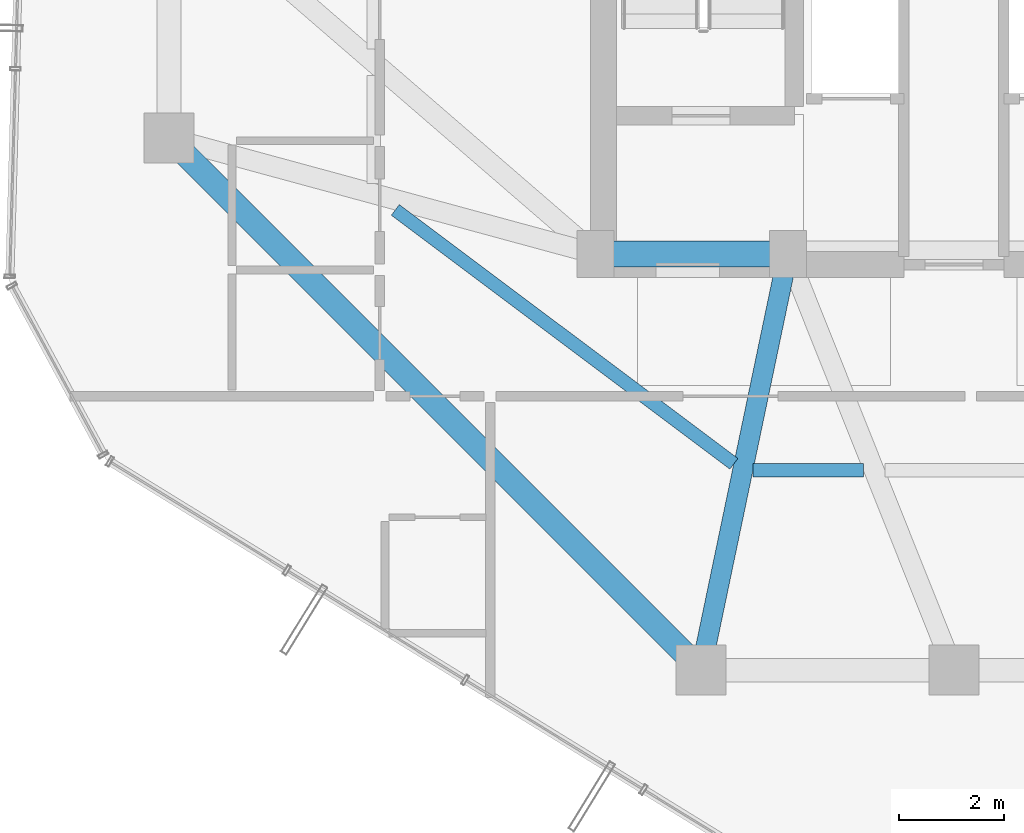
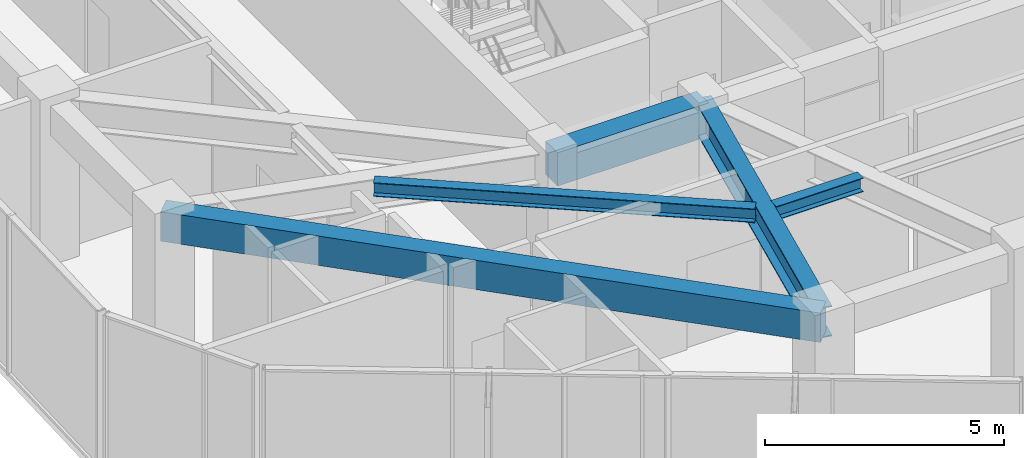
# One storey, part 4 of 22: 5 beams.
"""IFC4 building model written with IfcOpenShell, lengths in metres."""

from ifc_helpers import new_model, si_unit, direction, frame, origin, origin_2d, place, context, subcontext, project, spatial, rectangle, i_section, extrude, material, material_profile, profile_set, type_object, element, save


model = new_model("IFC4")

# Units and contexts
model_context = context("Model", 3, precision=1e-05, world=origin(), true_north=direction((0.0, 1.0)))
body_context = subcontext(model_context, "Body", "Model", "MODEL_VIEW")
ifc_project = project(units=[si_unit("LENGTHUNIT", "METRE"), si_unit("AREAUNIT", "SQUARE_METRE"), si_unit("VOLUMEUNIT", "CUBIC_METRE"), si_unit("PLANEANGLEUNIT", "RADIAN"), si_unit("MASSUNIT", "GRAM", prefix="KILO")], contexts=[model_context])

# Site, building, storey
site_placement = place(None, origin())
site = spatial("IfcSite", under=ifc_project, at=site_placement, CompositionType="ELEMENT")
building_placement = place(site_placement, origin())
building = spatial("IfcBuilding", under=site, at=building_placement, Name="Veraguas Prism Commons", CompositionType="ELEMENT")
storey_placement = place(building_placement, frame((0.0, 0.0, 211.35009765625)))
storey = spatial("IfcBuildingStorey", under=building, at=storey_placement, Name="L60", CompositionType="ELEMENT", Elevation=211.35009765625)

# Beams
ifc_material_1 = material(Name="Steel ASTM A992 Grade 50", Category="steel")
ifc_material_profile_1 = material_profile(ifc_material_1, i_section(OverallWidth=0.382080078125, OverallDepth=0.779052734375, WebThickness=0.01806640625, FlangeThickness=0.030029296875, at=origin_2d()), Name="W760X284")
ifc_profile_set_1 = profile_set([ifc_material_profile_1], Name="Steel ASTM A992 Grade 50")
beam_type_1 = type_object("IfcBeamType", Name="Assembly Primary Girder W760x284", PredefinedType="BEAM", material=ifc_profile_set_1)
beam_1_placement = place(storey_placement, frame((19.199951171875, 9.10009765625, 3.67529296875), z_axis=(0.204468851168, 0.978873070884, 0.0), x_axis=(-0.978873070884, 0.204468851168, 0.0)))
element("IfcBeam", 1, at=beam_1_placement, inside=storey, type_object=beam_type_1, Name="Radial Floor Girder L60-RD10", PredefinedType="BEAM", context=body_context, shape_type="SweptSolid", body=[
    extrude(i_section(OverallWidth=0.382080078125, OverallDepth=0.779052734375, WebThickness=0.01806640625, FlangeThickness=0.030029296875, at=origin_2d()), origin(), (0.0, 0.0, 1.0), 8.0703125),
])
ifc_material_2 = material(Name="Concrete C50/60", Category="concrete")
ifc_material_profile_2 = material_profile(ifc_material_2, rectangle(XDim=0.5, YDim=0.85009765625, at=origin_2d()), Name="RC500X850")
ifc_profile_set_2 = profile_set([ifc_material_profile_2], Name="Concrete C50/60")
beam_type_2 = type_object("IfcBeamType", Name="Core Coupling Beam RC 500x850", PredefinedType="BEAM", material=ifc_profile_set_2)
beam_2_placement = place(storey_placement, frame((17.199951171875, 17.0, 3.639892578125), z_axis=(1.0, 0.0, 0.0), x_axis=(0.0, 1.0, 0.0)))
element("IfcBeam", 2, at=beam_2_placement, inside=storey, type_object=beam_type_2, Name="Core Coupling Beam L60-CRS1", PredefinedType="BEAM", context=body_context, shape_type="SweptSolid", body=[
    extrude(rectangle(XDim=0.5, YDim=0.85009765625, at=origin_2d()), origin(), (0.0, 0.0, 1.0), 3.650146484375),
])
ifc_material_profile_3 = material_profile(ifc_material_2, rectangle(XDim=0.449951171875, YDim=0.75, at=origin_2d()), Name="RC450X750")
ifc_profile_set_3 = profile_set([ifc_material_profile_3], Name="Concrete C50/60")
beam_type_3 = type_object("IfcBeamType", Name="Perimeter Spandrel Upper RC 450x750", PredefinedType="SPANDREL", material=ifc_profile_set_3)
beam_3_placement = place(storey_placement, frame((9.10009765625, 19.199951171875, 3.68994140625), z_axis=(0.707106781187, -0.707106781187, 0.0), x_axis=(0.707106781187, 0.707106781187, 0.0)))
element("IfcBeam", 3, at=beam_3_placement, inside=storey, type_object=beam_type_3, Name="Perimeter Spandrel Beam L60-SP09", PredefinedType="SPANDREL", context=body_context, shape_type="SweptSolid", body=[
    extrude(rectangle(XDim=0.449951171875, YDim=0.75, at=origin_2d()), origin(), (0.0, 0.0, 1.0), 14.283447265625),
])
ifc_material_profile_4 = material_profile(ifc_material_1, i_section(OverallWidth=0.25390625, OverallDepth=0.35302734375, WebThickness=0.009521484375, FlangeThickness=0.016357421875, at=origin_2d()), Name="W360X91")
ifc_profile_set_4 = profile_set([ifc_material_profile_4], Name="Steel ASTM A992 Grade 50")
beam_type_4 = type_object("IfcBeamType", Name="Upper Floor Joist W360x91", PredefinedType="JOIST", material=ifc_profile_set_4)
beam_4_placement = place(storey_placement, frame((13.3974609375, 17.8369140625, 3.888427734375), z_axis=(0.800058341402, -0.599922203584, 0.0), x_axis=(0.599922203584, 0.800058341402, 0.0)))
element("IfcBeam", 4, at=beam_4_placement, inside=storey, type_object=beam_type_4, Name="Composite Floor Joist L60-JS09", PredefinedType="JOIST", context=body_context, shape_type="SweptSolid", body=[
    extrude(i_section(OverallWidth=0.25390625, OverallDepth=0.35302734375, WebThickness=0.009521484375, FlangeThickness=0.016357421875, at=origin_2d()), origin(), (0.0, 0.0, 1.0), 8.0341796875),
])
beam_5_placement = place(storey_placement, frame((20.18505859375, 12.89208984375, 3.888427734375), z_axis=(1.0, 0.0, 0.0), x_axis=(0.0, 1.0, 0.0)))
element("IfcBeam", 5, at=beam_5_placement, inside=storey, type_object=beam_type_4, Name="Composite Floor Joist L60-JS10", PredefinedType="JOIST", context=body_context, shape_type="SweptSolid", body=[
    extrude(i_section(OverallWidth=0.25390625, OverallDepth=0.35302734375, WebThickness=0.009521484375, FlangeThickness=0.016357421875, at=origin_2d()), origin(), (0.0, 0.0, 1.0), 2.099365234375),
])

save(model, "model.ifc")
